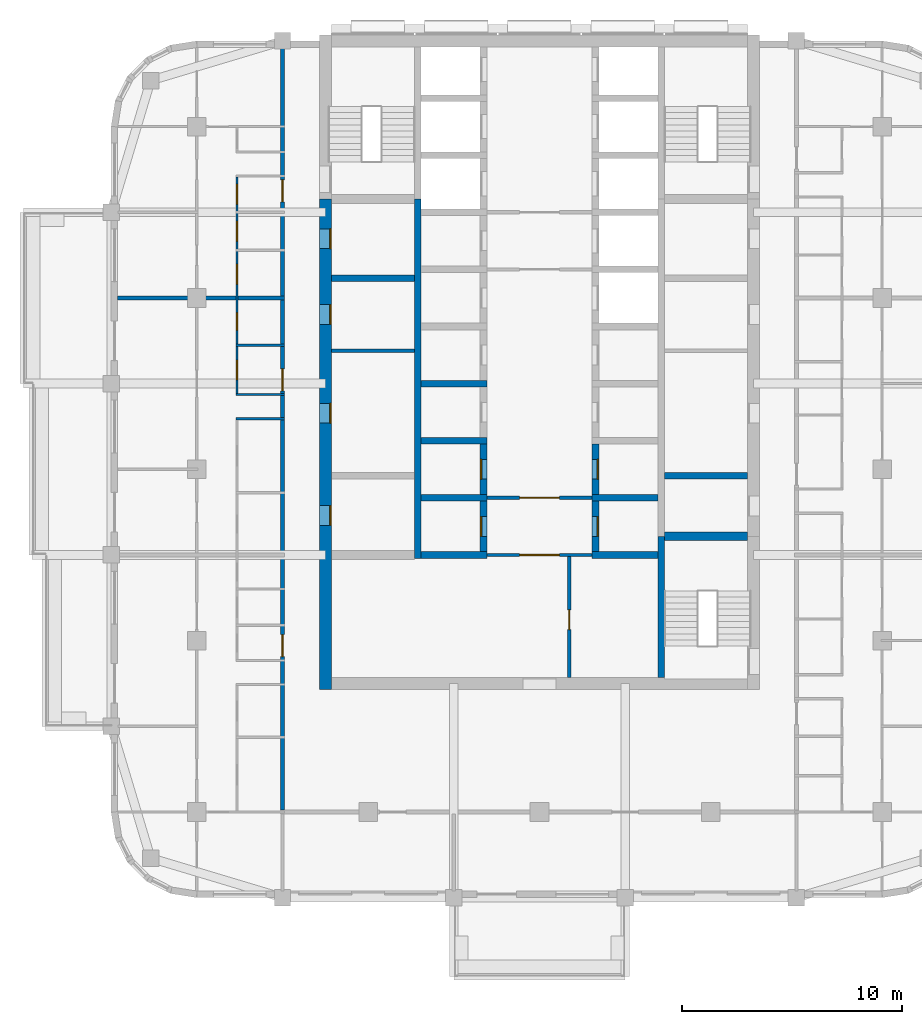
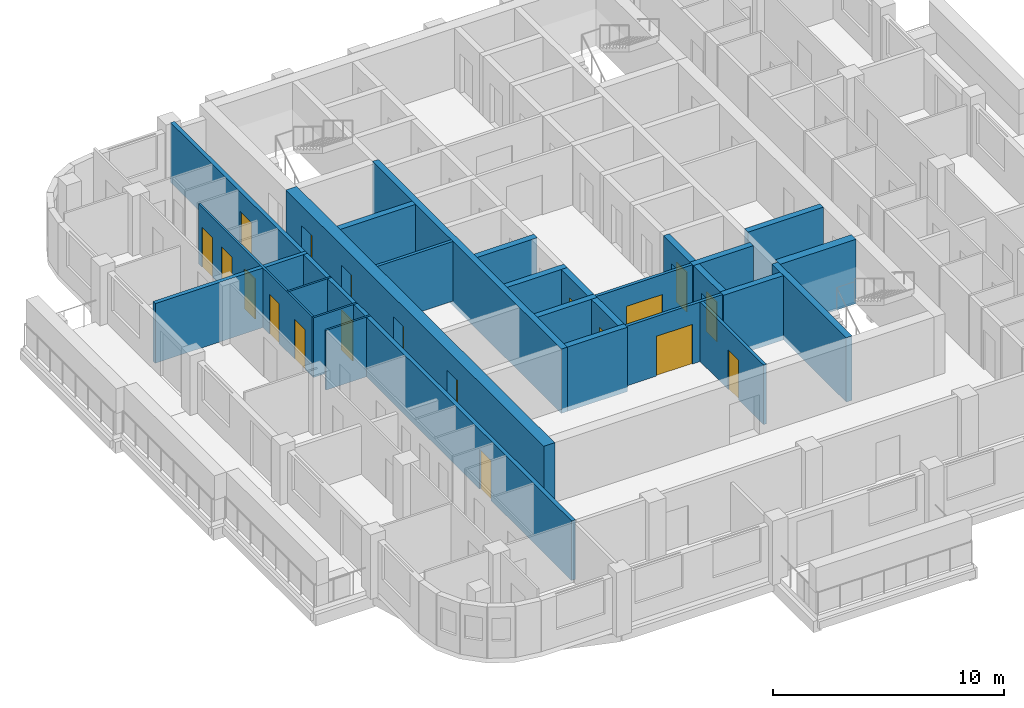
# One storey, part 4 of 13: 26 walls, 19 doors, 19 openings.
"""IFC4 building model written with IfcOpenShell, lengths in metres."""

from ifc_helpers import new_model, si_unit, direction, frame, frame_2d, origin, place, context, subcontext, project, spatial, rectangle, extrude, material, layer, layer_set, type_object, element, fill, save


model = new_model("IFC4")

# Units and contexts
model_context = context("Model", 3, precision=1e-05, world=origin(), true_north=direction((0.0, 1.0)))
body_context = subcontext(model_context, "Body", "Model", "MODEL_VIEW")
ifc_project = project(units=[si_unit("LENGTHUNIT", "METRE"), si_unit("AREAUNIT", "SQUARE_METRE"), si_unit("VOLUMEUNIT", "CUBIC_METRE"), si_unit("PLANEANGLEUNIT", "RADIAN"), si_unit("MASSUNIT", "GRAM", prefix="KILO")], contexts=[model_context])

# Site, building, storey
site_placement = place(None, origin())
site = spatial("IfcSite", under=ifc_project, at=site_placement, CompositionType="ELEMENT")
building_placement = place(site_placement, origin())
building = spatial("IfcBuilding", under=site, at=building_placement, Name="Ludao Terraces", CompositionType="ELEMENT")
storey_placement = place(building_placement, frame((0.0, 0.0, 165.60009765625)))
storey = spatial("IfcBuildingStorey", under=building, at=storey_placement, Name="L45", CompositionType="ELEMENT", Elevation=165.60009765625)

# Wall, openings, doors
ifc_material_1 = material(Name="Concrete C60", Category="concrete")
ifc_layer_1 = layer(ifc_material_1, 0.550048828125)
ifc_layer_set_1 = layer_set([ifc_layer_1], Name="Core wall 550 C60")
wall_type_1 = type_object("IfcWallType", Name="Core wall 550 C60", PredefinedType="SOLIDWALL", material=ifc_layer_set_1)
wall_1_placement = place(storey_placement, frame((75.25, 54.97509765625, -0.25), z_axis=(0.0, 0.0, 1.0), x_axis=(0.0, 1.0, 0.0)))
wall_1 = element("IfcWall", 1, at=wall_1_placement, inside=storey, type_object=wall_type_1, Name="Core wall L45 outer-W", PredefinedType="SOLIDWALL", context=body_context, shape_type="SweptSolid", body=[
    extrude(rectangle(XDim=22.324951171875, YDim=0.550048828125, at=frame_2d((11.16259765625, 0.0))), origin(), (0.0, 0.0, 1.0), 3.39990234375),
])
opening_1_placement = place(wall_1_placement, frame((7.47509765625, 0.0, 0.25)))
opening_1 = element("IfcOpeningElement", 2, at=opening_1_placement, cuts=wall_1, Name="Opening R15-032", PredefinedType="OPENING", context=body_context, shape_type="SweptSolid", body=[
    extrude(rectangle(XDim=0.89990234375, YDim=2.10009765625, at=frame_2d((0.449951171875, 1.050048828125))), frame((0.0, 0.28515625, 0.0), z_axis=(0.0, -1.0, 0.0), x_axis=(1.0, 0.0, 0.0)), (0.0, 0.0, 1.0), 0.570068359375),
])
opening_2_placement = place(wall_1_placement, frame((12.125, 0.0, 0.25)))
opening_2 = element("IfcOpeningElement", 3, at=opening_2_placement, cuts=wall_1, Name="Opening R15-042", PredefinedType="OPENING", context=body_context, shape_type="SweptSolid", body=[
    extrude(rectangle(XDim=0.89990234375, YDim=2.10009765625, at=frame_2d((0.449951171875, 1.050048828125))), frame((0.0, 0.28515625, 0.0), z_axis=(0.0, -1.0, 0.0), x_axis=(1.0, 0.0, 0.0)), (0.0, 0.0, 1.0), 0.570068359375),
])
opening_3_placement = place(wall_1_placement, frame((16.625, 0.0, 0.25)))
opening_3 = element("IfcOpeningElement", 4, at=opening_3_placement, cuts=wall_1, Name="Opening R15-055", PredefinedType="OPENING", context=body_context, shape_type="SweptSolid", body=[
    extrude(rectangle(XDim=0.89990234375, YDim=2.10009765625, at=frame_2d((0.449951171875, 1.050048828125))), frame((0.0, 0.28515625, 0.0), z_axis=(0.0, -1.0, 0.0), x_axis=(1.0, 0.0, 0.0)), (0.0, 0.0, 1.0), 0.570068359375),
])
opening_4_placement = place(wall_1_placement, frame((20.074951171875, 0.0, 0.25)))
opening_4 = element("IfcOpeningElement", 5, at=opening_4_placement, cuts=wall_1, Name="Opening R15-065", PredefinedType="OPENING", context=body_context, shape_type="SweptSolid", body=[
    extrude(rectangle(XDim=0.89990234375, YDim=2.10009765625, at=frame_2d((0.449951171875, 1.050048828125))), frame((0.0, 0.28515625, 0.0), z_axis=(0.0, -1.0, 0.0), x_axis=(1.0, 0.0, 0.0)), (0.0, 0.0, 1.0), 0.570068359375),
])
ifc_material_2 = material(Name="Steel Q235", Category="steel")
door_type_1 = type_object("IfcDoorType", Name="INT Riser door 900", OperationType="SINGLE_SWING_LEFT", PredefinedType="DOOR", material=ifc_material_2)
door_1_placement = place(opening_1_placement, origin())
door_1 = element("IfcDoor", 6, at=door_1_placement, inside=storey, type_object=door_type_1, Name="DOOR 032", OperationType="SINGLE_SWING_RIGHT", OverallHeight=2.10009765625, OverallWidth=0.89990234375, PredefinedType="DOOR", context=body_context, shape_type="SweptSolid", body=[
    extrude(rectangle(XDim=0.89990234375, YDim=2.10009765625, at=frame_2d((0.449951171875, 1.050048828125))), frame((0.0, -0.2099609375, 0.0), z_axis=(0.0, -1.0, 0.0), x_axis=(1.0, 0.0, 0.0)), (0.0, 0.0, 1.0), 0.050048828125),
])
fill(opening_1, door_1)
door_2_placement = place(opening_4_placement, origin())
door_2 = element("IfcDoor", 7, at=door_2_placement, inside=storey, type_object=door_type_1, Name="DOOR 065", OperationType="SINGLE_SWING_LEFT", OverallHeight=2.10009765625, OverallWidth=0.89990234375, PredefinedType="DOOR", context=body_context, shape_type="SweptSolid", body=[
    extrude(rectangle(XDim=0.89990234375, YDim=2.10009765625, at=frame_2d((0.449951171875, 1.050048828125))), frame((0.0, -0.2099609375, 0.0), z_axis=(0.0, -1.0, 0.0), x_axis=(1.0, 0.0, 0.0)), (0.0, 0.0, 1.0), 0.050048828125),
])
fill(opening_4, door_2)
ifc_material_3 = material(Name="Timber door leaf", Category="wood")
door_type_2 = type_object("IfcDoorType", Name="INT Room door 900", OperationType="SINGLE_SWING_LEFT", PredefinedType="DOOR", material=ifc_material_3)
door_3_placement = place(opening_2_placement, origin())
door_3 = element("IfcDoor", 8, at=door_3_placement, inside=storey, type_object=door_type_2, Name="DOOR 042", OperationType="SINGLE_SWING_RIGHT", OverallHeight=2.10009765625, OverallWidth=0.89990234375, PredefinedType="DOOR", context=body_context, shape_type="SweptSolid", body=[
    extrude(rectangle(XDim=0.89990234375, YDim=2.10009765625, at=frame_2d((0.449951171875, 1.050048828125))), frame((0.0, -0.2099609375, 0.0), z_axis=(0.0, -1.0, 0.0), x_axis=(1.0, 0.0, 0.0)), (0.0, 0.0, 1.0), 0.050048828125),
])
fill(opening_2, door_3)
door_4_placement = place(opening_3_placement, origin())
door_4 = element("IfcDoor", 9, at=door_4_placement, inside=storey, type_object=door_type_2, Name="DOOR 055", OperationType="SINGLE_SWING_LEFT", OverallHeight=2.10009765625, OverallWidth=0.89990234375, PredefinedType="DOOR", context=body_context, shape_type="SweptSolid", body=[
    extrude(rectangle(XDim=0.89990234375, YDim=2.10009765625, at=frame_2d((0.449951171875, 1.050048828125))), frame((0.0, -0.2099609375, 0.0), z_axis=(0.0, -1.0, 0.0), x_axis=(1.0, 0.0, 0.0)), (0.0, 0.0, 1.0), 0.050048828125),
])
fill(opening_3, door_4)

# Wall, opening, door
ifc_material_4 = material(Name="Fire-rated gypsum plasterboard", Category="gypsum")
ifc_layer_2 = layer(ifc_material_4, 0.012451171875, Category="gypsum")
ifc_material_5 = material(Name="Mineral wool")
ifc_layer_3 = layer(ifc_material_5, 0.10009765625, Name="insulation")
ifc_layer_4 = layer(ifc_material_2, 0.02490234375, Name="stud")
ifc_layer_5 = layer(ifc_material_4, 0.012451171875, Category="gypsum")
ifc_layer_set_2 = layer_set([ifc_layer_2, ifc_layer_3, ifc_layer_4, ifc_layer_5], Name="INT Core partition 150")
wall_type_2 = type_object("IfcWallType", Name="INT Core partition 150", PredefinedType="PARTITIONING", material=ifc_layer_set_2)
wall_2_placement = place(storey_placement, frame((82.60009765625, 61.10009765625, 0.0), z_axis=(0.0, 0.0, 1.0), x_axis=(1.0, 0.0, 0.0)))
wall_2 = element("IfcWall", 10, at=wall_2_placement, inside=storey, type_object=wall_type_2, Name="PW-L45-PW017", PredefinedType="PARTITIONING", context=body_context, shape_type="SweptSolid", body=[
    extrude(rectangle(XDim=4.800048828125, YDim=0.14990234375, at=frame_2d((2.39990234375, 0.0))), origin(), (0.0, 0.0, 1.0), 3.14990234375),
])
opening_5_placement = place(wall_2_placement, frame((1.5, 0.0, 0.0)))
opening_5 = element("IfcOpeningElement", 11, at=opening_5_placement, cuts=wall_2, Name="Opening R15-027", PredefinedType="OPENING", context=body_context, shape_type="SweptSolid", body=[
    extrude(rectangle(XDim=1.800048828125, YDim=2.10009765625, at=frame_2d((0.89990234375, 1.050048828125))), frame((0.0, 0.0849609375, 0.0), z_axis=(0.0, -1.0, 0.0), x_axis=(1.0, 0.0, 0.0)), (0.0, 0.0, 1.0), 0.169921875),
])
door_type_3 = type_object("IfcDoorType", Name="INT Fire lobby door 1800", OperationType="DOUBLE_DOOR_SINGLE_SWING", PredefinedType="DOOR", material=ifc_material_2)
door_5_placement = place(opening_5_placement, origin())
door_5 = element("IfcDoor", 12, at=door_5_placement, inside=storey, type_object=door_type_3, Name="DOOR 027", OperationType="DOUBLE_DOOR_SINGLE_SWING", OverallHeight=2.10009765625, OverallWidth=1.800048828125, PredefinedType="DOOR", context=body_context, shape_type="SweptSolid", body=[
    extrude(rectangle(XDim=1.800048828125, YDim=2.10009765625, at=frame_2d((0.89990234375, 1.050048828125))), frame((0.0, 0.02490234375, 0.0), z_axis=(0.0, -1.0, 0.0), x_axis=(1.0, 0.0, 0.0)), (0.0, 0.0, 1.0), 0.050048828125),
])
fill(opening_5, door_5)

wall_3_placement = place(storey_placement, frame((82.60009765625, 63.699951171875, 0.0), z_axis=(0.0, 0.0, 1.0), x_axis=(1.0, 0.0, 0.0)))
wall_3 = element("IfcWall", 13, at=wall_3_placement, inside=storey, type_object=wall_type_2, Name="PW-L45-PW020", PredefinedType="PARTITIONING", context=body_context, shape_type="SweptSolid", body=[
    extrude(rectangle(XDim=4.800048828125, YDim=0.14990234375, at=frame_2d((2.39990234375, 0.0))), origin(), (0.0, 0.0, 1.0), 3.14990234375),
])
opening_6_placement = place(wall_3_placement, frame((1.5, 0.0, 0.0)))
opening_6 = element("IfcOpeningElement", 14, at=opening_6_placement, cuts=wall_3, Name="Opening R15-035", PredefinedType="OPENING", context=body_context, shape_type="SweptSolid", body=[
    extrude(rectangle(XDim=1.800048828125, YDim=2.10009765625, at=frame_2d((0.89990234375, 1.050048828125))), frame((0.0, 0.0849609375, 0.0), z_axis=(0.0, -1.0, 0.0), x_axis=(1.0, 0.0, 0.0)), (0.0, 0.0, 1.0), 0.169921875),
])
door_6_placement = place(opening_6_placement, origin())
door_6 = element("IfcDoor", 15, at=door_6_placement, inside=storey, type_object=door_type_3, Name="DOOR 035", OperationType="DOUBLE_DOOR_SINGLE_SWING", OverallHeight=2.10009765625, OverallWidth=1.800048828125, PredefinedType="DOOR", context=body_context, shape_type="SweptSolid", body=[
    extrude(rectangle(XDim=1.800048828125, YDim=2.10009765625, at=frame_2d((0.89990234375, 1.050048828125))), frame((0.0, 0.02490234375, 0.0), z_axis=(0.0, -1.0, 0.0), x_axis=(1.0, 0.0, 0.0)), (0.0, 0.0, 1.0), 0.050048828125),
])
fill(opening_6, door_6)

# Wall
wall_4_placement = place(storey_placement, frame((75.525146484375, 70.39990234375, 0.0), z_axis=(0.0, 0.0, 1.0), x_axis=(1.0, 0.0, 0.0)))
element("IfcWall", 16, at=wall_4_placement, inside=storey, type_object=wall_type_2, Name="PW-L45-PW029", PredefinedType="PARTITIONING", context=body_context, shape_type="SweptSolid", body=[
    extrude(rectangle(XDim=3.77490234375, YDim=0.14990234375, at=frame_2d((1.887451171875, 0.0))), origin(), (0.0, 0.0, 1.0), 3.14990234375),
])

# Wall, opening, door
wall_5_placement = place(storey_placement, frame((86.35009765625, 55.525146484375, 0.0), z_axis=(0.0, 0.0, 1.0), x_axis=(0.0, 1.0, 0.0)))
wall_5 = element("IfcWall", 17, at=wall_5_placement, inside=storey, type_object=wall_type_2, Name="PW-L45-PW054", PredefinedType="PARTITIONING", context=body_context, shape_type="SweptSolid", body=[
    extrude(rectangle(XDim=5.5, YDim=0.14990234375, at=frame_2d((2.75, 0.0))), origin(), (0.0, 0.0, 1.0), 3.14990234375),
])
opening_7_placement = place(wall_5_placement, frame((2.175048828125, 0.0, 0.0)))
opening_7 = element("IfcOpeningElement", 18, at=opening_7_placement, cuts=wall_5, Name="Opening R15-021", PredefinedType="OPENING", context=body_context, shape_type="SweptSolid", body=[
    extrude(rectangle(XDim=0.89990234375, YDim=2.10009765625, at=frame_2d((0.449951171875, 1.050048828125))), frame((0.0, 0.0849609375, 0.0), z_axis=(0.0, -1.0, 0.0), x_axis=(1.0, 0.0, 0.0)), (0.0, 0.0, 1.0), 0.169921875),
])
door_7_placement = place(opening_7_placement, origin())
door_7 = element("IfcDoor", 19, at=door_7_placement, inside=storey, type_object=door_type_2, Name="DOOR 021", OperationType="SINGLE_SWING_RIGHT", OverallHeight=2.10009765625, OverallWidth=0.89990234375, PredefinedType="DOOR", context=body_context, shape_type="SweptSolid", body=[
    extrude(rectangle(XDim=0.89990234375, YDim=2.10009765625, at=frame_2d((0.449951171875, 1.050048828125))), frame((0.0, 0.02490234375, 0.0), z_axis=(0.0, -1.0, 0.0), x_axis=(1.0, 0.0, 0.0)), (0.0, 0.0, 1.0), 0.050048828125),
])
fill(opening_7, door_7)

# Wall, openings, doors
ifc_material_6 = material(Name="Autoclaved aerated concrete block B06 A3.5", Category="concrete")
ifc_layer_6 = layer(ifc_material_6, 0.199951171875)
ifc_layer_set_3 = layer_set([ifc_layer_6], Name="INT Entrance wall 200")
wall_type_3 = type_object("IfcWallType", Name="INT Entrance wall 200", PredefinedType="PARTITIONING", material=ifc_layer_set_3)
wall_6_placement = place(storey_placement, frame((73.300048828125, 49.5, 0.0), z_axis=(0.0, 0.0, 1.0), x_axis=(0.0, 1.0, 0.0)))
wall_6 = element("IfcWall", 20, at=wall_6_placement, inside=storey, type_object=wall_type_3, Name="PW-L45-PW052", PredefinedType="PARTITIONING", context=body_context, shape_type="SweptSolid", body=[
    extrude(rectangle(XDim=34.7001953125, YDim=0.199951171875, at=frame_2d((17.35009765625, 0.0))), origin(), (0.0, 0.0, 1.0), 3.14990234375),
])
opening_8_placement = place(wall_6_placement, frame((6.97509765625, 0.0, 0.0)))
opening_8 = element("IfcOpeningElement", 21, at=opening_8_placement, cuts=wall_6, Name="Opening R15-019", PredefinedType="OPENING", context=body_context, shape_type="SweptSolid", body=[
    extrude(rectangle(XDim=1.0, YDim=2.10009765625, at=frame_2d((0.5, 1.050048828125))), frame((0.0, 0.10986328125, 0.0), z_axis=(0.0, -1.0, 0.0), x_axis=(1.0, 0.0, 0.0)), (0.0, 0.0, 1.0), 0.219970703125),
])
opening_9_placement = place(wall_6_placement, frame((19.0751953125, 0.0, 0.0)))
opening_9 = element("IfcOpeningElement", 22, at=opening_9_placement, cuts=wall_6, Name="Opening R15-048", PredefinedType="OPENING", context=body_context, shape_type="SweptSolid", body=[
    extrude(rectangle(XDim=1.0, YDim=2.10009765625, at=frame_2d((0.5, 1.050048828125))), frame((0.0, 0.10986328125, 0.0), z_axis=(0.0, -1.0, 0.0), x_axis=(1.0, 0.0, 0.0)), (0.0, 0.0, 1.0), 0.219970703125),
])
opening_10_placement = place(wall_6_placement, frame((27.675048828125, 0.0, 0.0)))
opening_10 = element("IfcOpeningElement", 23, at=opening_10_placement, cuts=wall_6, Name="Opening R15-072", PredefinedType="OPENING", context=body_context, shape_type="SweptSolid", body=[
    extrude(rectangle(XDim=1.0, YDim=2.10009765625, at=frame_2d((0.5, 1.050048828125))), frame((0.0, 0.10986328125, 0.0), z_axis=(0.0, -1.0, 0.0), x_axis=(1.0, 0.0, 0.0)), (0.0, 0.0, 1.0), 0.219970703125),
])
door_type_4 = type_object("IfcDoorType", Name="INT Flat entrance door 1000", OperationType="SINGLE_SWING_LEFT", PredefinedType="DOOR", material=ifc_material_2)
door_8_placement = place(opening_8_placement, origin())
door_8 = element("IfcDoor", 24, at=door_8_placement, inside=storey, type_object=door_type_4, Name="DOOR 019", OperationType="SINGLE_SWING_RIGHT", OverallHeight=2.10009765625, OverallWidth=1.0, PredefinedType="DOOR", context=body_context, shape_type="SweptSolid", body=[
    extrude(rectangle(XDim=1.0, YDim=2.10009765625, at=frame_2d((0.5, 1.050048828125))), frame((0.0, 0.02490234375, 0.0), z_axis=(0.0, -1.0, 0.0), x_axis=(1.0, 0.0, 0.0)), (0.0, 0.0, 1.0), 0.050048828125),
])
fill(opening_8, door_8)
door_9_placement = place(opening_9_placement, origin())
door_9 = element("IfcDoor", 25, at=door_9_placement, inside=storey, type_object=door_type_4, Name="DOOR 048", OperationType="SINGLE_SWING_RIGHT", OverallHeight=2.10009765625, OverallWidth=1.0, PredefinedType="DOOR", context=body_context, shape_type="SweptSolid", body=[
    extrude(rectangle(XDim=1.0, YDim=2.10009765625, at=frame_2d((0.5, 1.050048828125))), frame((0.0, 0.02490234375, 0.0), z_axis=(0.0, -1.0, 0.0), x_axis=(1.0, 0.0, 0.0)), (0.0, 0.0, 1.0), 0.050048828125),
])
fill(opening_9, door_9)
door_10_placement = place(opening_10_placement, origin())
door_10 = element("IfcDoor", 26, at=door_10_placement, inside=storey, type_object=door_type_4, Name="DOOR 072", OperationType="SINGLE_SWING_LEFT", OverallHeight=2.10009765625, OverallWidth=1.0, PredefinedType="DOOR", context=body_context, shape_type="SweptSolid", body=[
    extrude(rectangle(XDim=1.0, YDim=2.10009765625, at=frame_2d((0.5, 1.050048828125))), frame((0.0, 0.02490234375, 0.0), z_axis=(0.0, -1.0, 0.0), x_axis=(1.0, 0.0, 0.0)), (0.0, 0.0, 1.0), 0.050048828125),
])
fill(opening_10, door_10)

# Walls
ifc_material_7 = material(Name="Gypsum plasterboard", Category="gypsum")
ifc_layer_7 = layer(ifc_material_7, 0.012451171875, Category="gypsum")
ifc_layer_8 = layer(ifc_material_5, 0.06005859375, Name="insulation")
ifc_layer_9 = layer(ifc_material_2, 0.014892578125, Name="stud")
ifc_layer_10 = layer(ifc_material_7, 0.012451171875, Category="gypsum")
ifc_layer_set_4 = layer_set([ifc_layer_7, ifc_layer_8, ifc_layer_9, ifc_layer_10], Name="INT Partition 100")
wall_type_4 = type_object("IfcWallType", Name="INT Partition 100", PredefinedType="PARTITIONING", material=ifc_layer_set_4)
for number, where, z_axis, x_axis, name in (
    (27, (71.18017578125, 67.300048828125, 0.0), (0.0, 0.0, 1.0), (1.0, 0.0, 0.0), "PW-L45-PW024"),
    (28, (71.18017578125, 68.39990234375, 0.0), (0.0, 0.0, 1.0), (1.0, 0.0, 0.0), "PW-L45-PW026"),
    (29, (71.18017578125, 70.64990234375, 0.0), (0.0, 0.0, 1.0), (1.0, 0.0, 0.0), "PW-L45-PW031"),
):
    element("IfcWall", number, at=place(storey_placement, frame(where, z_axis=z_axis, x_axis=x_axis)), inside=storey, type_object=wall_type_4, Name=name, PredefinedType="PARTITIONING", context=body_context, shape_type="SweptSolid", body=[
        extrude(rectangle(XDim=2.219970703125, YDim=0.10009765625, at=frame_2d((1.10986328125, 0.0))), origin(), (0.0, 0.0, 1.0), 3.14990234375),
    ])

# Wall, openings, doors
wall_7_placement = place(storey_placement, frame((71.22998046875, 68.4501953125, 0.0), z_axis=(0.0, 0.0, 1.0), x_axis=(0.0, 1.0, 0.0)))
wall_7 = element("IfcWall", 30, at=wall_7_placement, inside=storey, type_object=wall_type_4, Name="PW-L45-PW049", PredefinedType="PARTITIONING", context=body_context, shape_type="SweptSolid", body=[
    extrude(rectangle(XDim=9.849853515625, YDim=0.10009765625, at=frame_2d((4.9248046875, 0.0))), origin(), (0.0, 0.0, 1.0), 3.14990234375),
])
opening_11_placement = place(wall_7_placement, frame((0.625, 0.0, 0.0)))
opening_11 = element("IfcOpeningElement", 31, at=opening_11_placement, cuts=wall_7, Name="Opening R15-049", PredefinedType="OPENING", context=body_context, shape_type="SweptSolid", body=[
    extrude(rectangle(XDim=0.89990234375, YDim=2.10009765625, at=frame_2d((0.449951171875, 1.050048828125))), frame((0.0, 0.06005859375, 0.0), z_axis=(0.0, -1.0, 0.0), x_axis=(1.0, 0.0, 0.0)), (0.0, 0.0, 1.0), 0.1201171875),
])
opening_12_placement = place(wall_7_placement, frame((2.875, 0.0, 0.0)))
opening_12 = element("IfcOpeningElement", 32, at=opening_12_placement, cuts=wall_7, Name="Opening R15-054", PredefinedType="OPENING", context=body_context, shape_type="SweptSolid", body=[
    extrude(rectangle(XDim=0.800048828125, YDim=2.10009765625, at=frame_2d((0.39990234375, 1.050048828125))), frame((0.0, 0.06005859375, 0.0), z_axis=(0.0, -1.0, 0.0), x_axis=(1.0, 0.0, 0.0)), (0.0, 0.0, 1.0), 0.1201171875),
])
opening_13_placement = place(wall_7_placement, frame((4.98486328125, 0.0, 0.0)))
opening_13 = element("IfcOpeningElement", 33, at=opening_13_placement, cuts=wall_7, Name="Opening R15-060", PredefinedType="OPENING", context=body_context, shape_type="SweptSolid", body=[
    extrude(rectangle(XDim=0.89990234375, YDim=2.10009765625, at=frame_2d((0.449951171875, 1.050048828125))), frame((0.0, 0.06005859375, 0.0), z_axis=(0.0, -1.0, 0.0), x_axis=(1.0, 0.0, 0.0)), (0.0, 0.0, 1.0), 0.1201171875),
])
opening_14_placement = place(wall_7_placement, frame((6.934814453125, 0.0, 0.0)))
opening_14 = element("IfcOpeningElement", 34, at=opening_14_placement, cuts=wall_7, Name="Opening R15-067", PredefinedType="OPENING", context=body_context, shape_type="SweptSolid", body=[
    extrude(rectangle(XDim=0.89990234375, YDim=2.10009765625, at=frame_2d((0.449951171875, 1.050048828125))), frame((0.0, 0.06005859375, 0.0), z_axis=(0.0, -1.0, 0.0), x_axis=(1.0, 0.0, 0.0)), (0.0, 0.0, 1.0), 0.1201171875),
])
opening_15_placement = place(wall_7_placement, frame((8.625, 0.0, 0.0)))
opening_15 = element("IfcOpeningElement", 35, at=opening_15_placement, cuts=wall_7, Name="Opening R15-071", PredefinedType="OPENING", context=body_context, shape_type="SweptSolid", body=[
    extrude(rectangle(XDim=0.89990234375, YDim=2.10009765625, at=frame_2d((0.449951171875, 1.050048828125))), frame((0.0, 0.06005859375, 0.0), z_axis=(0.0, -1.0, 0.0), x_axis=(1.0, 0.0, 0.0)), (0.0, 0.0, 1.0), 0.1201171875),
])
door_type_5 = type_object("IfcDoorType", Name="INT Bathroom door 900", OperationType="SINGLE_SWING_LEFT", PredefinedType="DOOR", material=ifc_material_3)
door_11_placement = place(opening_11_placement, origin())
door_11 = element("IfcDoor", 36, at=door_11_placement, inside=storey, type_object=door_type_5, Name="DOOR 049", OperationType="SINGLE_SWING_RIGHT", OverallHeight=2.10009765625, OverallWidth=0.89990234375, PredefinedType="DOOR", context=body_context, shape_type="SweptSolid", body=[
    extrude(rectangle(XDim=0.89990234375, YDim=2.10009765625, at=frame_2d((0.449951171875, 1.050048828125))), frame((0.0, 0.02490234375, 0.0), z_axis=(0.0, -1.0, 0.0), x_axis=(1.0, 0.0, 0.0)), (0.0, 0.0, 1.0), 0.050048828125),
])
fill(opening_11, door_11)
door_12_placement = place(opening_14_placement, origin())
door_12 = element("IfcDoor", 37, at=door_12_placement, inside=storey, type_object=door_type_5, Name="DOOR 067", OperationType="SINGLE_SWING_LEFT", OverallHeight=2.10009765625, OverallWidth=0.89990234375, PredefinedType="DOOR", context=body_context, shape_type="SweptSolid", body=[
    extrude(rectangle(XDim=0.89990234375, YDim=2.10009765625, at=frame_2d((0.449951171875, 1.050048828125))), frame((0.0, 0.02490234375, 0.0), z_axis=(0.0, -1.0, 0.0), x_axis=(1.0, 0.0, 0.0)), (0.0, 0.0, 1.0), 0.050048828125),
])
fill(opening_14, door_12)
door_13_placement = place(opening_15_placement, origin())
door_13 = element("IfcDoor", 38, at=door_13_placement, inside=storey, type_object=door_type_5, Name="DOOR 071", OperationType="SINGLE_SWING_LEFT", OverallHeight=2.10009765625, OverallWidth=0.89990234375, PredefinedType="DOOR", context=body_context, shape_type="SweptSolid", body=[
    extrude(rectangle(XDim=0.89990234375, YDim=2.10009765625, at=frame_2d((0.449951171875, 1.050048828125))), frame((0.0, 0.02490234375, 0.0), z_axis=(0.0, -1.0, 0.0), x_axis=(1.0, 0.0, 0.0)), (0.0, 0.0, 1.0), 0.050048828125),
])
fill(opening_15, door_13)
door_14_placement = place(opening_13_placement, origin())
door_14 = element("IfcDoor", 39, at=door_14_placement, inside=storey, type_object=door_type_2, Name="DOOR 060", OperationType="SINGLE_SWING_RIGHT", OverallHeight=2.10009765625, OverallWidth=0.89990234375, PredefinedType="DOOR", context=body_context, shape_type="SweptSolid", body=[
    extrude(rectangle(XDim=0.89990234375, YDim=2.10009765625, at=frame_2d((0.449951171875, 1.050048828125))), frame((0.0, 0.02490234375, 0.0), z_axis=(0.0, -1.0, 0.0), x_axis=(1.0, 0.0, 0.0)), (0.0, 0.0, 1.0), 0.050048828125),
])
fill(opening_13, door_14)
door_type_6 = type_object("IfcDoorType", Name="INT Store door 800", OperationType="SINGLE_SWING_LEFT", PredefinedType="DOOR", material=ifc_material_3)
door_15_placement = place(opening_12_placement, origin())
door_15 = element("IfcDoor", 40, at=door_15_placement, inside=storey, type_object=door_type_6, Name="DOOR 054", OperationType="SINGLE_SWING_LEFT", OverallHeight=2.10009765625, OverallWidth=0.800048828125, PredefinedType="DOOR", context=body_context, shape_type="SweptSolid", body=[
    extrude(rectangle(XDim=0.800048828125, YDim=2.10009765625, at=frame_2d((0.39990234375, 1.050048828125))), frame((0.0, 0.02490234375, 0.0), z_axis=(0.0, -1.0, 0.0), x_axis=(1.0, 0.0, 0.0)), (0.0, 0.0, 1.0), 0.050048828125),
])
fill(opening_12, door_15)

# Walls
ifc_layer_11 = layer(ifc_material_6, 0.199951171875)
ifc_layer_set_5 = layer_set([ifc_layer_11], Name="INT Party wall 200")
wall_type_5 = type_object("IfcWallType", Name="INT Party wall 200", PredefinedType="PARTITIONING", material=ifc_layer_set_5)
wall_8_placement = place(storey_placement, frame((65.800048828125, 72.800048828125, 0.0), z_axis=(0.0, 0.0, 1.0), x_axis=(1.0, 0.0, 0.0)))
element("IfcWall", 41, at=wall_8_placement, inside=storey, type_object=wall_type_5, Name="PW-L45-PW032", PredefinedType="PARTITIONING", context=body_context, shape_type="SweptSolid", body=[
    extrude(rectangle(XDim=7.60009765625, YDim=0.199951171875, at=frame_2d((3.800048828125, 0.0))), origin(), (0.0, 0.0, 1.0), 3.14990234375),
])
ifc_material_8 = material(Name="Concrete C55", Category="concrete")
ifc_layer_12 = layer(ifc_material_8, 0.300048828125)
ifc_layer_set_6 = layer_set([ifc_layer_12], Name="Shaft wall 300 C55")
wall_type_6 = type_object("IfcWallType", Name="Shaft wall 300 C55", PredefinedType="SOLIDWALL", material=ifc_layer_set_6)
wall_9_placement = place(storey_placement, frame((79.449951171875, 60.949951171875, -0.25), z_axis=(0.0, 0.0, 1.0), x_axis=(0.0, 1.0, 0.0)))
element("IfcWall", 42, at=wall_9_placement, inside=storey, type_object=wall_type_6, Name="Core wall L45 back-W", PredefinedType="SOLIDWALL", context=body_context, shape_type="SweptSolid", body=[
    extrude(rectangle(XDim=16.35009765625, YDim=0.300048828125, at=frame_2d((8.175048828125, 0.0))), origin(), (0.0, 0.0, 1.0), 3.39990234375),
])
wall_10_placement = place(storey_placement, frame((90.550048828125, 55.52490234375, -0.25), z_axis=(0.0, 0.0, 1.0), x_axis=(0.0, 1.0, 0.0)))
element("IfcWall", 43, at=wall_10_placement, inside=storey, type_object=wall_type_6, Name="Core wall L45 back-E-S3", PredefinedType="SOLIDWALL", context=body_context, shape_type="SweptSolid", body=[
    extrude(rectangle(XDim=6.425048828125, YDim=0.300048828125, at=frame_2d((3.21240234375, 0.0))), origin(), (0.0, 0.0, 1.0), 3.39990234375),
])
wall_11_placement = place(storey_placement, frame((79.60009765625, 61.10009765625, -0.25), z_axis=(0.0, 0.0, 1.0), x_axis=(1.0, 0.0, 0.0)))
element("IfcWall", 44, at=wall_11_placement, inside=storey, type_object=wall_type_6, Name="Core wall L45 div-W1", PredefinedType="SOLIDWALL", context=body_context, shape_type="SweptSolid", body=[
    extrude(rectangle(XDim=3.0, YDim=0.300048828125, at=frame_2d((1.5, 0.0))), origin(), (0.0, 0.0, 1.0), 3.39990234375),
])

# Wall, opening, door
wall_12_placement = place(storey_placement, frame((82.449951171875, 61.25, -0.25), z_axis=(0.0, 0.0, 1.0), x_axis=(0.0, 1.0, 0.0)))
wall_12 = element("IfcWall", 45, at=wall_12_placement, inside=storey, type_object=wall_type_6, Name="Core wall L45 front-W1", PredefinedType="SOLIDWALL", context=body_context, shape_type="SweptSolid", body=[
    extrude(rectangle(XDim=2.300048828125, YDim=0.300048828125, at=frame_2d((1.14990234375, 0.0))), origin(), (0.0, 0.0, 1.0), 3.39990234375),
])
opening_16_placement = place(wall_12_placement, frame((0.699951171875, 0.0, 0.25)))
opening_16 = element("IfcOpeningElement", 46, at=opening_16_placement, cuts=wall_12, Name="Opening R15-029", PredefinedType="OPENING", context=body_context, shape_type="SweptSolid", body=[
    extrude(rectangle(XDim=0.89990234375, YDim=2.10009765625, at=frame_2d((0.449951171875, 1.050048828125))), frame((0.0, 0.16015625, 0.0), z_axis=(0.0, -1.0, 0.0), x_axis=(1.0, 0.0, 0.0)), (0.0, 0.0, 1.0), 0.320068359375),
])
door_16_placement = place(opening_16_placement, origin())
door_16 = element("IfcDoor", 47, at=door_16_placement, inside=storey, type_object=door_type_2, Name="DOOR 029", OperationType="SINGLE_SWING_LEFT", OverallHeight=2.10009765625, OverallWidth=0.89990234375, PredefinedType="DOOR", context=body_context, shape_type="SweptSolid", body=[
    extrude(rectangle(XDim=0.89990234375, YDim=2.10009765625, at=frame_2d((0.449951171875, 1.050048828125))), frame((0.0, 0.13525390625, 0.0), z_axis=(0.0, -1.0, 0.0), x_axis=(1.0, 0.0, 0.0)), (0.0, 0.0, 1.0), 0.050048828125),
])
fill(opening_16, door_16)

# Wall
wall_13_placement = place(storey_placement, frame((79.60009765625, 63.699951171875, -0.25), z_axis=(0.0, 0.0, 1.0), x_axis=(1.0, 0.0, 0.0)))
element("IfcWall", 48, at=wall_13_placement, inside=storey, type_object=wall_type_6, Name="Core wall L45 div-W2", PredefinedType="SOLIDWALL", context=body_context, shape_type="SweptSolid", body=[
    extrude(rectangle(XDim=3.0, YDim=0.300048828125, at=frame_2d((1.5, 0.0))), origin(), (0.0, 0.0, 1.0), 3.39990234375),
])

# Wall, opening, door
wall_14_placement = place(storey_placement, frame((82.449951171875, 63.85009765625, -0.25), z_axis=(0.0, 0.0, 1.0), x_axis=(0.0, 1.0, 0.0)))
wall_14 = element("IfcWall", 49, at=wall_14_placement, inside=storey, type_object=wall_type_6, Name="Core wall L45 front-W2", PredefinedType="SOLIDWALL", context=body_context, shape_type="SweptSolid", body=[
    extrude(rectangle(XDim=2.2998046875, YDim=0.300048828125, at=frame_2d((1.14990234375, 0.0))), origin(), (0.0, 0.0, 1.0), 3.39990234375),
])
opening_17_placement = place(wall_14_placement, frame((0.699951171875, 0.0, 0.25)))
opening_17 = element("IfcOpeningElement", 50, at=opening_17_placement, cuts=wall_14, Name="Opening R15-037", PredefinedType="OPENING", context=body_context, shape_type="SweptSolid", body=[
    extrude(rectangle(XDim=0.89990234375, YDim=2.10009765625, at=frame_2d((0.449951171875, 1.050048828125))), frame((0.0, 0.16015625, 0.0), z_axis=(0.0, -1.0, 0.0), x_axis=(1.0, 0.0, 0.0)), (0.0, 0.0, 1.0), 0.320068359375),
])
door_17_placement = place(opening_17_placement, origin())
door_17 = element("IfcDoor", 51, at=door_17_placement, inside=storey, type_object=door_type_2, Name="DOOR 037", OperationType="SINGLE_SWING_LEFT", OverallHeight=2.10009765625, OverallWidth=0.89990234375, PredefinedType="DOOR", context=body_context, shape_type="SweptSolid", body=[
    extrude(rectangle(XDim=0.89990234375, YDim=2.10009765625, at=frame_2d((0.449951171875, 1.050048828125))), frame((0.0, 0.13525390625, 0.0), z_axis=(0.0, -1.0, 0.0), x_axis=(1.0, 0.0, 0.0)), (0.0, 0.0, 1.0), 0.050048828125),
])
fill(opening_17, door_17)

# Walls
for number, where, z_axis, x_axis, name in (
    (52, (79.60009765625, 66.300048828125, -0.25), (0.0, 0.0, 1.0), (1.0, 0.0, 0.0), "Core wall L45 div-W3"),
    (53, (79.60009765625, 68.89990234375, -0.25), (0.0, 0.0, 1.0), (1.0, 0.0, 0.0), "Core wall L45 div-W4"),
    (54, (87.39990234375, 61.10009765625, -0.25), (0.0, 0.0, 1.0), (1.0, 0.0, 0.0), "Core wall L45 div-E1"),
):
    element("IfcWall", number, at=place(storey_placement, frame(where, z_axis=z_axis, x_axis=x_axis)), inside=storey, type_object=wall_type_6, Name=name, PredefinedType="SOLIDWALL", context=body_context, shape_type="SweptSolid", body=[
        extrude(rectangle(XDim=3.0, YDim=0.300048828125, at=frame_2d((1.5, 0.0))), origin(), (0.0, 0.0, 1.0), 3.39990234375),
    ])

# Wall, opening, door
wall_15_placement = place(storey_placement, frame((87.550048828125, 61.25, -0.25), z_axis=(0.0, 0.0, 1.0), x_axis=(0.0, 1.0, 0.0)))
wall_15 = element("IfcWall", 55, at=wall_15_placement, inside=storey, type_object=wall_type_6, Name="Core wall L45 front-E1", PredefinedType="SOLIDWALL", context=body_context, shape_type="SweptSolid", body=[
    extrude(rectangle(XDim=2.300048828125, YDim=0.300048828125, at=frame_2d((1.14990234375, 0.0))), origin(), (0.0, 0.0, 1.0), 3.39990234375),
])
opening_18_placement = place(wall_15_placement, frame((0.699951171875, 0.0, 0.25)))
opening_18 = element("IfcOpeningElement", 56, at=opening_18_placement, cuts=wall_15, Name="Opening R15-030", PredefinedType="OPENING", context=body_context, shape_type="SweptSolid", body=[
    extrude(rectangle(XDim=0.89990234375, YDim=2.10009765625, at=frame_2d((0.449951171875, 1.050048828125))), frame((0.0, 0.16015625, 0.0), z_axis=(0.0, -1.0, 0.0), x_axis=(1.0, 0.0, 0.0)), (0.0, 0.0, 1.0), 0.320068359375),
])
door_18_placement = place(opening_18_placement, origin())
door_18 = element("IfcDoor", 57, at=door_18_placement, inside=storey, type_object=door_type_2, Name="DOOR 030", OperationType="SINGLE_SWING_RIGHT", OverallHeight=2.10009765625, OverallWidth=0.89990234375, PredefinedType="DOOR", context=body_context, shape_type="SweptSolid", body=[
    extrude(rectangle(XDim=0.89990234375, YDim=2.10009765625, at=frame_2d((0.449951171875, 1.050048828125))), frame((0.0, -0.0849609375, 0.0), z_axis=(0.0, -1.0, 0.0), x_axis=(1.0, 0.0, 0.0)), (0.0, 0.0, 1.0), 0.050048828125),
])
fill(opening_18, door_18)

# Wall
wall_16_placement = place(storey_placement, frame((87.39990234375, 63.699951171875, -0.25), z_axis=(0.0, 0.0, 1.0), x_axis=(1.0, 0.0, 0.0)))
element("IfcWall", 58, at=wall_16_placement, inside=storey, type_object=wall_type_6, Name="Core wall L45 div-E2", PredefinedType="SOLIDWALL", context=body_context, shape_type="SweptSolid", body=[
    extrude(rectangle(XDim=3.0, YDim=0.300048828125, at=frame_2d((1.5, 0.0))), origin(), (0.0, 0.0, 1.0), 3.39990234375),
])

# Wall, opening, door
wall_17_placement = place(storey_placement, frame((87.550048828125, 63.85009765625, -0.25), z_axis=(0.0, 0.0, 1.0), x_axis=(0.0, 1.0, 0.0)))
wall_17 = element("IfcWall", 59, at=wall_17_placement, inside=storey, type_object=wall_type_6, Name="Core wall L45 front-E2", PredefinedType="SOLIDWALL", context=body_context, shape_type="SweptSolid", body=[
    extrude(rectangle(XDim=2.2998046875, YDim=0.300048828125, at=frame_2d((1.14990234375, 0.0))), origin(), (0.0, 0.0, 1.0), 3.39990234375),
])
opening_19_placement = place(wall_17_placement, frame((0.699951171875, 0.0, 0.25)))
opening_19 = element("IfcOpeningElement", 60, at=opening_19_placement, cuts=wall_17, Name="Opening R15-038", PredefinedType="OPENING", context=body_context, shape_type="SweptSolid", body=[
    extrude(rectangle(XDim=0.89990234375, YDim=2.10009765625, at=frame_2d((0.449951171875, 1.050048828125))), frame((0.0, 0.16015625, 0.0), z_axis=(0.0, -1.0, 0.0), x_axis=(1.0, 0.0, 0.0)), (0.0, 0.0, 1.0), 0.320068359375),
])
door_19_placement = place(opening_19_placement, origin())
door_19 = element("IfcDoor", 61, at=door_19_placement, inside=storey, type_object=door_type_2, Name="DOOR 038", OperationType="SINGLE_SWING_RIGHT", OverallHeight=2.10009765625, OverallWidth=0.89990234375, PredefinedType="DOOR", context=body_context, shape_type="SweptSolid", body=[
    extrude(rectangle(XDim=0.89990234375, YDim=2.10009765625, at=frame_2d((0.449951171875, 1.050048828125))), frame((0.0, -0.0849609375, 0.0), z_axis=(0.0, -1.0, 0.0), x_axis=(1.0, 0.0, 0.0)), (0.0, 0.0, 1.0), 0.050048828125),
])
fill(opening_19, door_19)

# Walls
for number, where, z_axis, x_axis, name in (
    (62, (75.52490234375, 73.699951171875, -0.25), (0.0, 0.0, 1.0), (1.0, 0.0, 0.0), "Core wall L45 riser-b-W"),
    (63, (90.699951171875, 64.699951171875, -0.25), (0.0, 0.0, 1.0), (1.0, 0.0, 0.0), "Core wall L45 riser-a-E"),
):
    element("IfcWall", number, at=place(storey_placement, frame(where, z_axis=z_axis, x_axis=x_axis)), inside=storey, type_object=wall_type_6, Name=name, PredefinedType="SOLIDWALL", context=body_context, shape_type="SweptSolid", body=[
        extrude(rectangle(XDim=3.775146484375, YDim=0.300048828125, at=frame_2d((1.8876953125, 0.0))), origin(), (0.0, 0.0, 1.0), 3.39990234375),
    ])
ifc_layer_13 = layer(ifc_material_8, 0.39990234375)
ifc_layer_set_7 = layer_set([ifc_layer_13], Name="Shaft wall 400 C55")
wall_type_7 = type_object("IfcWallType", Name="Shaft wall 400 C55", PredefinedType="SOLIDWALL", material=ifc_layer_set_7)
wall_18_placement = place(storey_placement, frame((90.699951171875, 61.949951171875, -0.25), z_axis=(0.0, 0.0, 1.0), x_axis=(1.0, 0.0, 0.0)))
element("IfcWall", 64, at=wall_18_placement, inside=storey, type_object=wall_type_7, Name="Core wall L45 hall-E", PredefinedType="SOLIDWALL", context=body_context, shape_type="SweptSolid", body=[
    extrude(rectangle(XDim=3.775146484375, YDim=0.39990234375, at=frame_2d((1.8876953125, 0.0))), origin(), (0.0, 0.0, 1.0), 3.39990234375),
])

save(model, "model.ifc")
